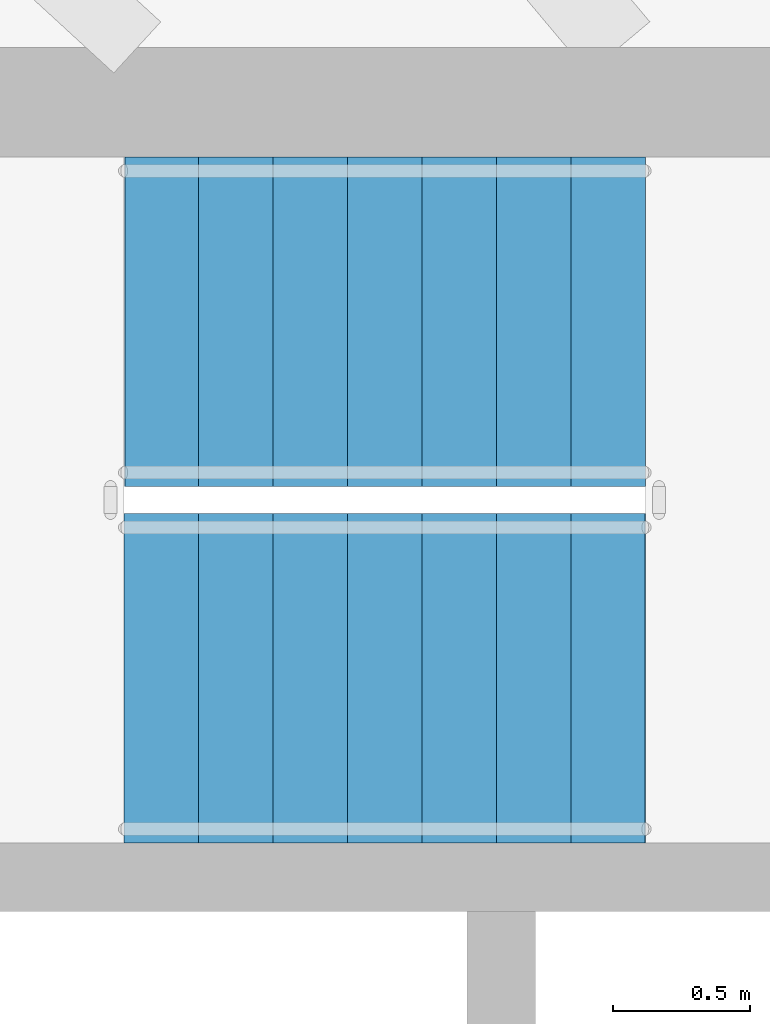
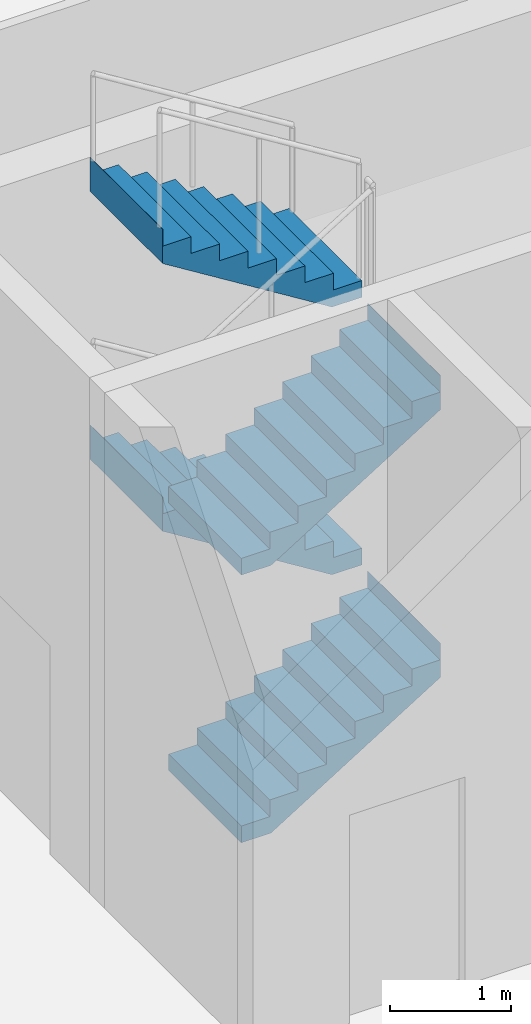
# One storey, part 9 of 16: 4 stair flights, 1 element without a shape of its own.
"""IFC4 building model written with IfcOpenShell, lengths in metres."""

from ifc_helpers import new_model, si_unit, direction, frame, origin, place, context, subcontext, project, spatial, triangles, material, type_object, element, aggregate, save


model = new_model("IFC4")

# Units and contexts
model_context = context("Model", 3, precision=1e-05, world=origin(), true_north=direction((0.0, 1.0)))
body_context = subcontext(model_context, "Body", "Model", "MODEL_VIEW")
ifc_project = project(units=[si_unit("LENGTHUNIT", "METRE"), si_unit("AREAUNIT", "SQUARE_METRE"), si_unit("VOLUMEUNIT", "CUBIC_METRE"), si_unit("PLANEANGLEUNIT", "RADIAN"), si_unit("MASSUNIT", "GRAM", prefix="KILO")], contexts=[model_context])

# Site, building, storey
site_placement = place(None, origin())
site = spatial("IfcSite", under=ifc_project, at=site_placement, CompositionType="ELEMENT")
building_placement = place(site_placement, origin())
building = spatial("IfcBuilding", under=site, at=building_placement, Name="Sahrelin Media Tower", CompositionType="ELEMENT")
storey_placement = place(building_placement, frame((0.0, 0.0, 324.39990234375)))
storey = spatial("IfcBuildingStorey", under=building, at=storey_placement, Name="L72", CompositionType="ELEMENT", Elevation=324.39990234375)

# Stair, stair flights
ifc_material = material(Name="Concrete C40/50", Category="concrete")
stair_type = type_object("IfcStairType", Name="Exit stair 1200", PredefinedType="HALF_TURN_STAIR", material=ifc_material)
stair_placement = place(storey_placement, origin())
stair = element("IfcStair", 1, at=stair_placement, inside=storey, type_object=stair_type, Name="L72 Exit stair ST1", PredefinedType="HALF_TURN_STAIR")
stair_flight_type = type_object("IfcStairFlightType", Name="Stair flight 1200", PredefinedType="STRAIGHT", material=ifc_material)
stair_flight_1_placement = place(storey_placement, frame((-7.675048828125, 4.699951171875, 0.0), z_axis=(0.0, 0.0, 1.0), x_axis=(1.0, 0.0, 0.0)))
stair_flight_1 = element("IfcStairFlight", 2, at=stair_flight_1_placement, type_object=stair_flight_type, Name="ST1 flight 1", NumberOfRisers=8, NumberOfTreads=7, PredefinedType="STRAIGHT", RiserHeight=0.16875, TreadLength=0.271428571, context=body_context, shape_type="Tessellation", body=[
    triangles([(0.283935546875, 0.60009765625, 0.0), (0.283935546875, 0.300048828125, 0.0), (0.283935546875, 0.0, 0.0), (0.283935546875, -0.300048828125, 0.0), (0.283935546875, -0.60009765625, 0.0), (1.89990234375, 0.60009765625, 1.004638671875), (1.89990234375, 0.300048828125, 1.004638671875), (1.89990234375, 0.0, 1.004638671875), (1.89990234375, -0.300048828125, 1.004638671875), (1.89990234375, -0.60009765625, 1.004638671875), (1.89990234375, 0.60009765625, 1.35009765625), (1.89990234375, 0.300048828125, 1.35009765625), (1.89990234375, 0.0, 1.35009765625), (1.89990234375, -0.300048828125, 1.35009765625), (1.89990234375, -0.60009765625, 1.35009765625), (1.89794921875, 0.60009765625, 1.35009765625), (1.89794921875, 0.300048828125, 1.35009765625), (1.89794921875, 0.0, 1.35009765625), (1.89794921875, -0.300048828125, 1.35009765625), (1.89794921875, -0.60009765625, 1.35009765625), (1.89794921875, 0.60009765625, 1.18115234375), (1.89794921875, 0.300048828125, 1.18115234375), (1.89794921875, 0.0, 1.18115234375), (1.89794921875, -0.300048828125, 1.18115234375), (1.89794921875, -0.60009765625, 1.18115234375), (1.628662109375, 0.60009765625, 1.18115234375), (1.628662109375, 0.300048828125, 1.18115234375), (1.628662109375, 0.0, 1.18115234375), (1.628662109375, -0.300048828125, 1.18115234375), (1.628662109375, -0.60009765625, 1.18115234375), (1.628662109375, 0.60009765625, 1.012451171875), (1.628662109375, 0.300048828125, 1.012451171875), (1.628662109375, 0.0, 1.012451171875), (1.628662109375, -0.300048828125, 1.012451171875), (1.628662109375, -0.60009765625, 1.012451171875), (1.357177734375, 0.60009765625, 1.012451171875), (1.357177734375, 0.300048828125, 1.012451171875), (1.357177734375, 0.0, 1.012451171875), (1.357177734375, -0.300048828125, 1.012451171875), (1.357177734375, -0.60009765625, 1.012451171875), (1.357177734375, 0.60009765625, 0.84375), (1.357177734375, 0.300048828125, 0.84375), (1.357177734375, 0.0, 0.84375), (1.357177734375, -0.300048828125, 0.84375), (1.357177734375, -0.60009765625, 0.84375), (1.085693359375, 0.60009765625, 0.84375), (1.085693359375, 0.300048828125, 0.84375), (1.085693359375, 0.0, 0.84375), (1.085693359375, -0.300048828125, 0.84375), (1.085693359375, -0.60009765625, 0.84375), (1.085693359375, 0.60009765625, 0.675048828125), (1.085693359375, 0.300048828125, 0.675048828125), (1.085693359375, 0.0, 0.675048828125), (1.085693359375, -0.300048828125, 0.675048828125), (1.085693359375, -0.60009765625, 0.675048828125), (0.814208984375, 0.60009765625, 0.675048828125), (0.814208984375, 0.300048828125, 0.675048828125), (0.814208984375, 0.0, 0.675048828125), (0.814208984375, -0.300048828125, 0.675048828125), (0.814208984375, -0.60009765625, 0.675048828125), (0.814208984375, 0.60009765625, 0.50634765625), (0.814208984375, 0.300048828125, 0.50634765625), (0.814208984375, 0.0, 0.50634765625), (0.814208984375, -0.300048828125, 0.50634765625), (0.814208984375, -0.60009765625, 0.50634765625), (0.54296875, 0.60009765625, 0.50634765625), (0.54296875, 0.300048828125, 0.50634765625), (0.54296875, 0.0, 0.50634765625), (0.54296875, -0.300048828125, 0.50634765625), (0.54296875, -0.60009765625, 0.50634765625), (0.54296875, 0.60009765625, 0.33740234375), (0.54296875, 0.300048828125, 0.33740234375), (0.54296875, 0.0, 0.33740234375), (0.54296875, -0.300048828125, 0.33740234375), (0.54296875, -0.60009765625, 0.33740234375), (0.271484375, 0.60009765625, 0.33740234375), (0.271484375, 0.300048828125, 0.33740234375), (0.271484375, 0.0, 0.33740234375), (0.271484375, -0.300048828125, 0.33740234375), (0.271484375, -0.60009765625, 0.33740234375), (0.271484375, 0.60009765625, 0.168701171875), (0.271484375, 0.300048828125, 0.168701171875), (0.271484375, 0.0, 0.168701171875), (0.271484375, -0.300048828125, 0.168701171875), (0.271484375, -0.60009765625, 0.168701171875), (0.0, 0.60009765625, 0.168701171875), (0.0, 0.300048828125, 0.168701171875), (0.0, 0.0, 0.168701171875), (0.0, -0.300048828125, 0.168701171875), (0.0, -0.60009765625, 0.168701171875), (0.0, 0.60009765625, 0.0), (0.0, 0.300048828125, 0.0), (0.0, 0.0, 0.0), (0.0, -0.300048828125, 0.0), (0.0, -0.60009765625, 0.0)], [[1, 6, 7], [1, 7, 2], [2, 7, 8], [2, 8, 3], [3, 8, 9], [3, 9, 4], [4, 9, 10], [4, 10, 5], [6, 11, 12], [6, 12, 7], [7, 12, 13], [7, 13, 8], [8, 13, 14], [8, 14, 9], [9, 14, 15], [9, 15, 10], [11, 16, 17], [11, 17, 12], [12, 17, 18], [12, 18, 13], [13, 18, 19], [13, 19, 14], [14, 19, 20], [14, 20, 15], [16, 21, 22], [16, 22, 17], [17, 22, 23], [17, 23, 18], [18, 23, 24], [18, 24, 19], [19, 24, 25], [19, 25, 20], [21, 26, 27], [21, 27, 22], [22, 27, 28], [22, 28, 23], [23, 28, 29], [23, 29, 24], [24, 29, 30], [24, 30, 25], [26, 31, 32], [26, 32, 27], [27, 32, 33], [27, 33, 28], [28, 33, 34], [28, 34, 29], [29, 34, 35], [29, 35, 30], [31, 36, 37], [31, 37, 32], [32, 37, 38], [32, 38, 33], [33, 38, 39], [33, 39, 34], [34, 39, 40], [34, 40, 35], [36, 41, 42], [36, 42, 37], [37, 42, 43], [37, 43, 38], [38, 43, 44], [38, 44, 39], [39, 44, 45], [39, 45, 40], [41, 46, 47], [41, 47, 42], [42, 47, 48], [42, 48, 43], [43, 48, 49], [43, 49, 44], [44, 49, 50], [44, 50, 45], [46, 51, 52], [46, 52, 47], [47, 52, 53], [47, 53, 48], [48, 53, 54], [48, 54, 49], [49, 54, 55], [49, 55, 50], [51, 56, 57], [51, 57, 52], [52, 57, 58], [52, 58, 53], [53, 58, 59], [53, 59, 54], [54, 59, 60], [54, 60, 55], [56, 61, 62], [56, 62, 57], [57, 62, 63], [57, 63, 58], [58, 63, 64], [58, 64, 59], [59, 64, 65], [59, 65, 60], [61, 66, 67], [61, 67, 62], [62, 67, 68], [62, 68, 63], [63, 68, 69], [63, 69, 64], [64, 69, 70], [64, 70, 65], [66, 71, 72], [66, 72, 67], [67, 72, 73], [67, 73, 68], [68, 73, 74], [68, 74, 69], [69, 74, 75], [69, 75, 70], [71, 76, 77], [71, 77, 72], [72, 77, 78], [72, 78, 73], [73, 78, 79], [73, 79, 74], [74, 79, 80], [74, 80, 75], [76, 81, 82], [76, 82, 77], [77, 82, 83], [77, 83, 78], [78, 83, 84], [78, 84, 79], [79, 84, 85], [79, 85, 80], [81, 86, 87], [81, 87, 82], [82, 87, 88], [82, 88, 83], [83, 88, 89], [83, 89, 84], [84, 89, 90], [84, 90, 85], [86, 91, 92], [86, 92, 87], [87, 92, 93], [87, 93, 88], [88, 93, 94], [88, 94, 89], [89, 94, 95], [89, 95, 90], [91, 1, 2], [91, 2, 92], [92, 2, 3], [92, 3, 93], [93, 3, 4], [93, 4, 94], [94, 4, 5], [94, 5, 95], [85, 90, 95], [81, 91, 86], [85, 75, 80], [81, 76, 71], [75, 65, 70], [71, 66, 61], [65, 55, 60], [61, 56, 51], [55, 45, 50], [51, 46, 41], [45, 35, 40], [41, 36, 31], [35, 25, 30], [31, 26, 21], [25, 15, 20], [21, 16, 11], [95, 5, 85], [91, 81, 1], [5, 55, 65], [1, 61, 51], [25, 10, 15], [21, 11, 6], [75, 85, 5], [71, 1, 81], [10, 45, 55], [6, 51, 41], [35, 10, 25], [31, 21, 6], [65, 75, 5], [61, 1, 71], [45, 10, 35], [41, 31, 6], [5, 10, 55], [1, 51, 6]], closed=True),
])
stair_flight_2_placement = place(storey_placement, frame((-5.77490234375, 6.0, 1.35009765625), z_axis=(0.0, 0.0, 1.0), x_axis=(-1.0, 0.0, 0.0)))
stair_flight_2 = element("IfcStairFlight", 3, at=stair_flight_2_placement, type_object=stair_flight_type, Name="ST1 flight 2", NumberOfRisers=8, NumberOfTreads=7, PredefinedType="STRAIGHT", RiserHeight=0.16875, TreadLength=0.271428571, context=body_context, shape_type="Tessellation", body=[
    triangles([(0.283935546875, 0.60009765625, 0.0), (0.283935546875, 0.300048828125, 0.0), (0.283935546875, 0.0, 0.0), (0.283935546875, -0.300048828125, 0.0), (0.283935546875, -0.60009765625, 0.0), (1.89990234375, 0.60009765625, 1.004638671875), (1.89990234375, 0.300048828125, 1.004638671875), (1.89990234375, 0.0, 1.004638671875), (1.89990234375, -0.300048828125, 1.004638671875), (1.89990234375, -0.60009765625, 1.004638671875), (1.89990234375, 0.60009765625, 1.35009765625), (1.89990234375, 0.300048828125, 1.35009765625), (1.89990234375, 0.0, 1.35009765625), (1.89990234375, -0.300048828125, 1.35009765625), (1.89990234375, -0.60009765625, 1.35009765625), (1.89794921875, 0.60009765625, 1.35009765625), (1.89794921875, 0.300048828125, 1.35009765625), (1.89794921875, 0.0, 1.35009765625), (1.89794921875, -0.300048828125, 1.35009765625), (1.89794921875, -0.60009765625, 1.35009765625), (1.89794921875, 0.60009765625, 1.18115234375), (1.89794921875, 0.300048828125, 1.18115234375), (1.89794921875, 0.0, 1.18115234375), (1.89794921875, -0.300048828125, 1.18115234375), (1.89794921875, -0.60009765625, 1.18115234375), (1.628662109375, 0.60009765625, 1.18115234375), (1.628662109375, 0.300048828125, 1.18115234375), (1.628662109375, 0.0, 1.18115234375), (1.628662109375, -0.300048828125, 1.18115234375), (1.628662109375, -0.60009765625, 1.18115234375), (1.628662109375, 0.60009765625, 1.012451171875), (1.628662109375, 0.300048828125, 1.012451171875), (1.628662109375, 0.0, 1.012451171875), (1.628662109375, -0.300048828125, 1.012451171875), (1.628662109375, -0.60009765625, 1.012451171875), (1.357177734375, 0.60009765625, 1.012451171875), (1.357177734375, 0.300048828125, 1.012451171875), (1.357177734375, 0.0, 1.012451171875), (1.357177734375, -0.300048828125, 1.012451171875), (1.357177734375, -0.60009765625, 1.012451171875), (1.357177734375, 0.60009765625, 0.84375), (1.357177734375, 0.300048828125, 0.84375), (1.357177734375, 0.0, 0.84375), (1.357177734375, -0.300048828125, 0.84375), (1.357177734375, -0.60009765625, 0.84375), (1.085693359375, 0.60009765625, 0.84375), (1.085693359375, 0.300048828125, 0.84375), (1.085693359375, 0.0, 0.84375), (1.085693359375, -0.300048828125, 0.84375), (1.085693359375, -0.60009765625, 0.84375), (1.085693359375, 0.60009765625, 0.675048828125), (1.085693359375, 0.300048828125, 0.675048828125), (1.085693359375, 0.0, 0.675048828125), (1.085693359375, -0.300048828125, 0.675048828125), (1.085693359375, -0.60009765625, 0.675048828125), (0.814208984375, 0.60009765625, 0.675048828125), (0.814208984375, 0.300048828125, 0.675048828125), (0.814208984375, 0.0, 0.675048828125), (0.814208984375, -0.300048828125, 0.675048828125), (0.814208984375, -0.60009765625, 0.675048828125), (0.814208984375, 0.60009765625, 0.50634765625), (0.814208984375, 0.300048828125, 0.50634765625), (0.814208984375, 0.0, 0.50634765625), (0.814208984375, -0.300048828125, 0.50634765625), (0.814208984375, -0.60009765625, 0.50634765625), (0.54296875, 0.60009765625, 0.50634765625), (0.54296875, 0.300048828125, 0.50634765625), (0.54296875, 0.0, 0.50634765625), (0.54296875, -0.300048828125, 0.50634765625), (0.54296875, -0.60009765625, 0.50634765625), (0.54296875, 0.60009765625, 0.33740234375), (0.54296875, 0.300048828125, 0.33740234375), (0.54296875, 0.0, 0.33740234375), (0.54296875, -0.300048828125, 0.33740234375), (0.54296875, -0.60009765625, 0.33740234375), (0.271484375, 0.60009765625, 0.33740234375), (0.271484375, 0.300048828125, 0.33740234375), (0.271484375, 0.0, 0.33740234375), (0.271484375, -0.300048828125, 0.33740234375), (0.271484375, -0.60009765625, 0.33740234375), (0.271484375, 0.60009765625, 0.168701171875), (0.271484375, 0.300048828125, 0.168701171875), (0.271484375, 0.0, 0.168701171875), (0.271484375, -0.300048828125, 0.168701171875), (0.271484375, -0.60009765625, 0.168701171875), (0.0, 0.60009765625, 0.168701171875), (0.0, 0.300048828125, 0.168701171875), (0.0, 0.0, 0.168701171875), (0.0, -0.300048828125, 0.168701171875), (0.0, -0.60009765625, 0.168701171875), (0.0, 0.60009765625, 0.0), (0.0, 0.300048828125, 0.0), (0.0, 0.0, 0.0), (0.0, -0.300048828125, 0.0), (0.0, -0.60009765625, 0.0)], [[1, 6, 7], [1, 7, 2], [2, 7, 8], [2, 8, 3], [3, 8, 9], [3, 9, 4], [4, 9, 10], [4, 10, 5], [6, 11, 12], [6, 12, 7], [7, 12, 13], [7, 13, 8], [8, 13, 14], [8, 14, 9], [9, 14, 15], [9, 15, 10], [11, 16, 17], [11, 17, 12], [12, 17, 18], [12, 18, 13], [13, 18, 19], [13, 19, 14], [14, 19, 20], [14, 20, 15], [16, 21, 22], [16, 22, 17], [17, 22, 23], [17, 23, 18], [18, 23, 24], [18, 24, 19], [19, 24, 25], [19, 25, 20], [21, 26, 27], [21, 27, 22], [22, 27, 28], [22, 28, 23], [23, 28, 29], [23, 29, 24], [24, 29, 30], [24, 30, 25], [26, 31, 32], [26, 32, 27], [27, 32, 33], [27, 33, 28], [28, 33, 34], [28, 34, 29], [29, 34, 35], [29, 35, 30], [31, 36, 37], [31, 37, 32], [32, 37, 38], [32, 38, 33], [33, 38, 39], [33, 39, 34], [34, 39, 40], [34, 40, 35], [36, 41, 42], [36, 42, 37], [37, 42, 43], [37, 43, 38], [38, 43, 44], [38, 44, 39], [39, 44, 45], [39, 45, 40], [41, 46, 47], [41, 47, 42], [42, 47, 48], [42, 48, 43], [43, 48, 49], [43, 49, 44], [44, 49, 50], [44, 50, 45], [46, 51, 52], [46, 52, 47], [47, 52, 53], [47, 53, 48], [48, 53, 54], [48, 54, 49], [49, 54, 55], [49, 55, 50], [51, 56, 57], [51, 57, 52], [52, 57, 58], [52, 58, 53], [53, 58, 59], [53, 59, 54], [54, 59, 60], [54, 60, 55], [56, 61, 62], [56, 62, 57], [57, 62, 63], [57, 63, 58], [58, 63, 64], [58, 64, 59], [59, 64, 65], [59, 65, 60], [61, 66, 67], [61, 67, 62], [62, 67, 68], [62, 68, 63], [63, 68, 69], [63, 69, 64], [64, 69, 70], [64, 70, 65], [66, 71, 72], [66, 72, 67], [67, 72, 73], [67, 73, 68], [68, 73, 74], [68, 74, 69], [69, 74, 75], [69, 75, 70], [71, 76, 77], [71, 77, 72], [72, 77, 78], [72, 78, 73], [73, 78, 79], [73, 79, 74], [74, 79, 80], [74, 80, 75], [76, 81, 82], [76, 82, 77], [77, 82, 83], [77, 83, 78], [78, 83, 84], [78, 84, 79], [79, 84, 85], [79, 85, 80], [81, 86, 87], [81, 87, 82], [82, 87, 88], [82, 88, 83], [83, 88, 89], [83, 89, 84], [84, 89, 90], [84, 90, 85], [86, 91, 92], [86, 92, 87], [87, 92, 93], [87, 93, 88], [88, 93, 94], [88, 94, 89], [89, 94, 95], [89, 95, 90], [91, 1, 2], [91, 2, 92], [92, 2, 3], [92, 3, 93], [93, 3, 4], [93, 4, 94], [94, 4, 5], [94, 5, 95], [85, 90, 95], [81, 91, 86], [85, 75, 80], [81, 76, 71], [75, 65, 70], [71, 66, 61], [65, 55, 60], [61, 56, 51], [55, 45, 50], [51, 46, 41], [45, 35, 40], [41, 36, 31], [35, 25, 30], [31, 26, 21], [25, 15, 20], [21, 16, 11], [95, 5, 85], [91, 81, 1], [5, 55, 65], [1, 61, 51], [25, 10, 15], [21, 11, 6], [75, 85, 5], [71, 1, 81], [10, 45, 55], [6, 51, 41], [35, 10, 25], [31, 21, 6], [65, 75, 5], [61, 1, 71], [45, 10, 35], [41, 31, 6], [5, 10, 55], [1, 51, 6]], closed=True),
])
stair_flight_3_placement = place(storey_placement, frame((-7.675048828125, 4.699951171875, 2.7001953125), z_axis=(0.0, 0.0, 1.0), x_axis=(1.0, 0.0, 0.0)))
stair_flight_3 = element("IfcStairFlight", 4, at=stair_flight_3_placement, type_object=stair_flight_type, Name="ST1 flight 3", NumberOfRisers=8, NumberOfTreads=7, PredefinedType="STRAIGHT", RiserHeight=0.16875, TreadLength=0.271428571, context=body_context, shape_type="Tessellation", body=[
    triangles([(0.283935546875, 0.60009765625, 0.0), (0.283935546875, 0.300048828125, 0.0), (0.283935546875, 0.0, 0.0), (0.283935546875, -0.300048828125, 0.0), (0.283935546875, -0.60009765625, 0.0), (1.89990234375, 0.60009765625, 1.004638671875), (1.89990234375, 0.300048828125, 1.004638671875), (1.89990234375, 0.0, 1.004638671875), (1.89990234375, -0.300048828125, 1.004638671875), (1.89990234375, -0.60009765625, 1.004638671875), (1.89990234375, 0.60009765625, 1.35009765625), (1.89990234375, 0.300048828125, 1.35009765625), (1.89990234375, 0.0, 1.35009765625), (1.89990234375, -0.300048828125, 1.35009765625), (1.89990234375, -0.60009765625, 1.35009765625), (1.89794921875, 0.60009765625, 1.35009765625), (1.89794921875, 0.300048828125, 1.35009765625), (1.89794921875, 0.0, 1.35009765625), (1.89794921875, -0.300048828125, 1.35009765625), (1.89794921875, -0.60009765625, 1.35009765625), (1.89794921875, 0.60009765625, 1.18115234375), (1.89794921875, 0.300048828125, 1.18115234375), (1.89794921875, 0.0, 1.18115234375), (1.89794921875, -0.300048828125, 1.18115234375), (1.89794921875, -0.60009765625, 1.18115234375), (1.628662109375, 0.60009765625, 1.18115234375), (1.628662109375, 0.300048828125, 1.18115234375), (1.628662109375, 0.0, 1.18115234375), (1.628662109375, -0.300048828125, 1.18115234375), (1.628662109375, -0.60009765625, 1.18115234375), (1.628662109375, 0.60009765625, 1.012451171875), (1.628662109375, 0.300048828125, 1.012451171875), (1.628662109375, 0.0, 1.012451171875), (1.628662109375, -0.300048828125, 1.012451171875), (1.628662109375, -0.60009765625, 1.012451171875), (1.357177734375, 0.60009765625, 1.012451171875), (1.357177734375, 0.300048828125, 1.012451171875), (1.357177734375, 0.0, 1.012451171875), (1.357177734375, -0.300048828125, 1.012451171875), (1.357177734375, -0.60009765625, 1.012451171875), (1.357177734375, 0.60009765625, 0.84375), (1.357177734375, 0.300048828125, 0.84375), (1.357177734375, 0.0, 0.84375), (1.357177734375, -0.300048828125, 0.84375), (1.357177734375, -0.60009765625, 0.84375), (1.085693359375, 0.60009765625, 0.84375), (1.085693359375, 0.300048828125, 0.84375), (1.085693359375, 0.0, 0.84375), (1.085693359375, -0.300048828125, 0.84375), (1.085693359375, -0.60009765625, 0.84375), (1.085693359375, 0.60009765625, 0.675048828125), (1.085693359375, 0.300048828125, 0.675048828125), (1.085693359375, 0.0, 0.675048828125), (1.085693359375, -0.300048828125, 0.675048828125), (1.085693359375, -0.60009765625, 0.675048828125), (0.814208984375, 0.60009765625, 0.675048828125), (0.814208984375, 0.300048828125, 0.675048828125), (0.814208984375, 0.0, 0.675048828125), (0.814208984375, -0.300048828125, 0.675048828125), (0.814208984375, -0.60009765625, 0.675048828125), (0.814208984375, 0.60009765625, 0.50634765625), (0.814208984375, 0.300048828125, 0.50634765625), (0.814208984375, 0.0, 0.50634765625), (0.814208984375, -0.300048828125, 0.50634765625), (0.814208984375, -0.60009765625, 0.50634765625), (0.54296875, 0.60009765625, 0.50634765625), (0.54296875, 0.300048828125, 0.50634765625), (0.54296875, 0.0, 0.50634765625), (0.54296875, -0.300048828125, 0.50634765625), (0.54296875, -0.60009765625, 0.50634765625), (0.54296875, 0.60009765625, 0.33740234375), (0.54296875, 0.300048828125, 0.33740234375), (0.54296875, 0.0, 0.33740234375), (0.54296875, -0.300048828125, 0.33740234375), (0.54296875, -0.60009765625, 0.33740234375), (0.271484375, 0.60009765625, 0.33740234375), (0.271484375, 0.300048828125, 0.33740234375), (0.271484375, 0.0, 0.33740234375), (0.271484375, -0.300048828125, 0.33740234375), (0.271484375, -0.60009765625, 0.33740234375), (0.271484375, 0.60009765625, 0.168701171875), (0.271484375, 0.300048828125, 0.168701171875), (0.271484375, 0.0, 0.168701171875), (0.271484375, -0.300048828125, 0.168701171875), (0.271484375, -0.60009765625, 0.168701171875), (0.0, 0.60009765625, 0.168701171875), (0.0, 0.300048828125, 0.168701171875), (0.0, 0.0, 0.168701171875), (0.0, -0.300048828125, 0.168701171875), (0.0, -0.60009765625, 0.168701171875), (0.0, 0.60009765625, 0.0), (0.0, 0.300048828125, 0.0), (0.0, 0.0, 0.0), (0.0, -0.300048828125, 0.0), (0.0, -0.60009765625, 0.0)], [[1, 6, 7], [1, 7, 2], [2, 7, 8], [2, 8, 3], [3, 8, 9], [3, 9, 4], [4, 9, 10], [4, 10, 5], [6, 11, 12], [6, 12, 7], [7, 12, 13], [7, 13, 8], [8, 13, 14], [8, 14, 9], [9, 14, 15], [9, 15, 10], [11, 16, 17], [11, 17, 12], [12, 17, 18], [12, 18, 13], [13, 18, 19], [13, 19, 14], [14, 19, 20], [14, 20, 15], [16, 21, 22], [16, 22, 17], [17, 22, 23], [17, 23, 18], [18, 23, 24], [18, 24, 19], [19, 24, 25], [19, 25, 20], [21, 26, 27], [21, 27, 22], [22, 27, 28], [22, 28, 23], [23, 28, 29], [23, 29, 24], [24, 29, 30], [24, 30, 25], [26, 31, 32], [26, 32, 27], [27, 32, 33], [27, 33, 28], [28, 33, 34], [28, 34, 29], [29, 34, 35], [29, 35, 30], [31, 36, 37], [31, 37, 32], [32, 37, 38], [32, 38, 33], [33, 38, 39], [33, 39, 34], [34, 39, 40], [34, 40, 35], [36, 41, 42], [36, 42, 37], [37, 42, 43], [37, 43, 38], [38, 43, 44], [38, 44, 39], [39, 44, 45], [39, 45, 40], [41, 46, 47], [41, 47, 42], [42, 47, 48], [42, 48, 43], [43, 48, 49], [43, 49, 44], [44, 49, 50], [44, 50, 45], [46, 51, 52], [46, 52, 47], [47, 52, 53], [47, 53, 48], [48, 53, 54], [48, 54, 49], [49, 54, 55], [49, 55, 50], [51, 56, 57], [51, 57, 52], [52, 57, 58], [52, 58, 53], [53, 58, 59], [53, 59, 54], [54, 59, 60], [54, 60, 55], [56, 61, 62], [56, 62, 57], [57, 62, 63], [57, 63, 58], [58, 63, 64], [58, 64, 59], [59, 64, 65], [59, 65, 60], [61, 66, 67], [61, 67, 62], [62, 67, 68], [62, 68, 63], [63, 68, 69], [63, 69, 64], [64, 69, 70], [64, 70, 65], [66, 71, 72], [66, 72, 67], [67, 72, 73], [67, 73, 68], [68, 73, 74], [68, 74, 69], [69, 74, 75], [69, 75, 70], [71, 76, 77], [71, 77, 72], [72, 77, 78], [72, 78, 73], [73, 78, 79], [73, 79, 74], [74, 79, 80], [74, 80, 75], [76, 81, 82], [76, 82, 77], [77, 82, 83], [77, 83, 78], [78, 83, 84], [78, 84, 79], [79, 84, 85], [79, 85, 80], [81, 86, 87], [81, 87, 82], [82, 87, 88], [82, 88, 83], [83, 88, 89], [83, 89, 84], [84, 89, 90], [84, 90, 85], [86, 91, 92], [86, 92, 87], [87, 92, 93], [87, 93, 88], [88, 93, 94], [88, 94, 89], [89, 94, 95], [89, 95, 90], [91, 1, 2], [91, 2, 92], [92, 2, 3], [92, 3, 93], [93, 3, 4], [93, 4, 94], [94, 4, 5], [94, 5, 95], [85, 90, 95], [81, 91, 86], [85, 75, 80], [81, 76, 71], [75, 65, 70], [71, 66, 61], [65, 55, 60], [61, 56, 51], [55, 45, 50], [51, 46, 41], [45, 35, 40], [41, 36, 31], [35, 25, 30], [31, 26, 21], [25, 15, 20], [21, 16, 11], [95, 5, 85], [91, 81, 1], [5, 55, 65], [1, 61, 51], [25, 10, 15], [21, 11, 6], [75, 85, 5], [71, 1, 81], [10, 45, 55], [6, 51, 41], [35, 10, 25], [31, 21, 6], [65, 75, 5], [61, 1, 71], [45, 10, 35], [41, 31, 6], [5, 10, 55], [1, 51, 6]], closed=True),
])
stair_flight_4_placement = place(storey_placement, frame((-5.77490234375, 6.0, 4.050048828125), z_axis=(0.0, 0.0, 1.0), x_axis=(-1.0, 0.0, 0.0)))
stair_flight_4 = element("IfcStairFlight", 5, at=stair_flight_4_placement, type_object=stair_flight_type, Name="ST1 flight 4", NumberOfRisers=8, NumberOfTreads=7, PredefinedType="STRAIGHT", RiserHeight=0.16875, TreadLength=0.271428571, context=body_context, shape_type="Tessellation", body=[
    triangles([(0.283935546875, 0.60009765625, 0.0), (0.283935546875, 0.300048828125, 0.0), (0.283935546875, 0.0, 0.0), (0.283935546875, -0.300048828125, 0.0), (0.283935546875, -0.60009765625, 0.0), (1.89990234375, 0.60009765625, 1.004638671875), (1.89990234375, 0.300048828125, 1.004638671875), (1.89990234375, 0.0, 1.004638671875), (1.89990234375, -0.300048828125, 1.004638671875), (1.89990234375, -0.60009765625, 1.004638671875), (1.89990234375, 0.60009765625, 1.35009765625), (1.89990234375, 0.300048828125, 1.35009765625), (1.89990234375, 0.0, 1.35009765625), (1.89990234375, -0.300048828125, 1.35009765625), (1.89990234375, -0.60009765625, 1.35009765625), (1.89794921875, 0.60009765625, 1.35009765625), (1.89794921875, 0.300048828125, 1.35009765625), (1.89794921875, 0.0, 1.35009765625), (1.89794921875, -0.300048828125, 1.35009765625), (1.89794921875, -0.60009765625, 1.35009765625), (1.89794921875, 0.60009765625, 1.18115234375), (1.89794921875, 0.300048828125, 1.18115234375), (1.89794921875, 0.0, 1.18115234375), (1.89794921875, -0.300048828125, 1.18115234375), (1.89794921875, -0.60009765625, 1.18115234375), (1.628662109375, 0.60009765625, 1.18115234375), (1.628662109375, 0.300048828125, 1.18115234375), (1.628662109375, 0.0, 1.18115234375), (1.628662109375, -0.300048828125, 1.18115234375), (1.628662109375, -0.60009765625, 1.18115234375), (1.628662109375, 0.60009765625, 1.012451171875), (1.628662109375, 0.300048828125, 1.012451171875), (1.628662109375, 0.0, 1.012451171875), (1.628662109375, -0.300048828125, 1.012451171875), (1.628662109375, -0.60009765625, 1.012451171875), (1.357177734375, 0.60009765625, 1.012451171875), (1.357177734375, 0.300048828125, 1.012451171875), (1.357177734375, 0.0, 1.012451171875), (1.357177734375, -0.300048828125, 1.012451171875), (1.357177734375, -0.60009765625, 1.012451171875), (1.357177734375, 0.60009765625, 0.84375), (1.357177734375, 0.300048828125, 0.84375), (1.357177734375, 0.0, 0.84375), (1.357177734375, -0.300048828125, 0.84375), (1.357177734375, -0.60009765625, 0.84375), (1.085693359375, 0.60009765625, 0.84375), (1.085693359375, 0.300048828125, 0.84375), (1.085693359375, 0.0, 0.84375), (1.085693359375, -0.300048828125, 0.84375), (1.085693359375, -0.60009765625, 0.84375), (1.085693359375, 0.60009765625, 0.675048828125), (1.085693359375, 0.300048828125, 0.675048828125), (1.085693359375, 0.0, 0.675048828125), (1.085693359375, -0.300048828125, 0.675048828125), (1.085693359375, -0.60009765625, 0.675048828125), (0.814208984375, 0.60009765625, 0.675048828125), (0.814208984375, 0.300048828125, 0.675048828125), (0.814208984375, 0.0, 0.675048828125), (0.814208984375, -0.300048828125, 0.675048828125), (0.814208984375, -0.60009765625, 0.675048828125), (0.814208984375, 0.60009765625, 0.50634765625), (0.814208984375, 0.300048828125, 0.50634765625), (0.814208984375, 0.0, 0.50634765625), (0.814208984375, -0.300048828125, 0.50634765625), (0.814208984375, -0.60009765625, 0.50634765625), (0.54296875, 0.60009765625, 0.50634765625), (0.54296875, 0.300048828125, 0.50634765625), (0.54296875, 0.0, 0.50634765625), (0.54296875, -0.300048828125, 0.50634765625), (0.54296875, -0.60009765625, 0.50634765625), (0.54296875, 0.60009765625, 0.33740234375), (0.54296875, 0.300048828125, 0.33740234375), (0.54296875, 0.0, 0.33740234375), (0.54296875, -0.300048828125, 0.33740234375), (0.54296875, -0.60009765625, 0.33740234375), (0.271484375, 0.60009765625, 0.33740234375), (0.271484375, 0.300048828125, 0.33740234375), (0.271484375, 0.0, 0.33740234375), (0.271484375, -0.300048828125, 0.33740234375), (0.271484375, -0.60009765625, 0.33740234375), (0.271484375, 0.60009765625, 0.168701171875), (0.271484375, 0.300048828125, 0.168701171875), (0.271484375, 0.0, 0.168701171875), (0.271484375, -0.300048828125, 0.168701171875), (0.271484375, -0.60009765625, 0.168701171875), (0.0, 0.60009765625, 0.168701171875), (0.0, 0.300048828125, 0.168701171875), (0.0, 0.0, 0.168701171875), (0.0, -0.300048828125, 0.168701171875), (0.0, -0.60009765625, 0.168701171875), (0.0, 0.60009765625, 0.0), (0.0, 0.300048828125, 0.0), (0.0, 0.0, 0.0), (0.0, -0.300048828125, 0.0), (0.0, -0.60009765625, 0.0)], [[1, 6, 7], [1, 7, 2], [2, 7, 8], [2, 8, 3], [3, 8, 9], [3, 9, 4], [4, 9, 10], [4, 10, 5], [6, 11, 12], [6, 12, 7], [7, 12, 13], [7, 13, 8], [8, 13, 14], [8, 14, 9], [9, 14, 15], [9, 15, 10], [11, 16, 17], [11, 17, 12], [12, 17, 18], [12, 18, 13], [13, 18, 19], [13, 19, 14], [14, 19, 20], [14, 20, 15], [16, 21, 22], [16, 22, 17], [17, 22, 23], [17, 23, 18], [18, 23, 24], [18, 24, 19], [19, 24, 25], [19, 25, 20], [21, 26, 27], [21, 27, 22], [22, 27, 28], [22, 28, 23], [23, 28, 29], [23, 29, 24], [24, 29, 30], [24, 30, 25], [26, 31, 32], [26, 32, 27], [27, 32, 33], [27, 33, 28], [28, 33, 34], [28, 34, 29], [29, 34, 35], [29, 35, 30], [31, 36, 37], [31, 37, 32], [32, 37, 38], [32, 38, 33], [33, 38, 39], [33, 39, 34], [34, 39, 40], [34, 40, 35], [36, 41, 42], [36, 42, 37], [37, 42, 43], [37, 43, 38], [38, 43, 44], [38, 44, 39], [39, 44, 45], [39, 45, 40], [41, 46, 47], [41, 47, 42], [42, 47, 48], [42, 48, 43], [43, 48, 49], [43, 49, 44], [44, 49, 50], [44, 50, 45], [46, 51, 52], [46, 52, 47], [47, 52, 53], [47, 53, 48], [48, 53, 54], [48, 54, 49], [49, 54, 55], [49, 55, 50], [51, 56, 57], [51, 57, 52], [52, 57, 58], [52, 58, 53], [53, 58, 59], [53, 59, 54], [54, 59, 60], [54, 60, 55], [56, 61, 62], [56, 62, 57], [57, 62, 63], [57, 63, 58], [58, 63, 64], [58, 64, 59], [59, 64, 65], [59, 65, 60], [61, 66, 67], [61, 67, 62], [62, 67, 68], [62, 68, 63], [63, 68, 69], [63, 69, 64], [64, 69, 70], [64, 70, 65], [66, 71, 72], [66, 72, 67], [67, 72, 73], [67, 73, 68], [68, 73, 74], [68, 74, 69], [69, 74, 75], [69, 75, 70], [71, 76, 77], [71, 77, 72], [72, 77, 78], [72, 78, 73], [73, 78, 79], [73, 79, 74], [74, 79, 80], [74, 80, 75], [76, 81, 82], [76, 82, 77], [77, 82, 83], [77, 83, 78], [78, 83, 84], [78, 84, 79], [79, 84, 85], [79, 85, 80], [81, 86, 87], [81, 87, 82], [82, 87, 88], [82, 88, 83], [83, 88, 89], [83, 89, 84], [84, 89, 90], [84, 90, 85], [86, 91, 92], [86, 92, 87], [87, 92, 93], [87, 93, 88], [88, 93, 94], [88, 94, 89], [89, 94, 95], [89, 95, 90], [91, 1, 2], [91, 2, 92], [92, 2, 3], [92, 3, 93], [93, 3, 4], [93, 4, 94], [94, 4, 5], [94, 5, 95], [85, 90, 95], [81, 91, 86], [85, 75, 80], [81, 76, 71], [75, 65, 70], [71, 66, 61], [65, 55, 60], [61, 56, 51], [55, 45, 50], [51, 46, 41], [45, 35, 40], [41, 36, 31], [35, 25, 30], [31, 26, 21], [25, 15, 20], [21, 16, 11], [95, 5, 85], [91, 81, 1], [5, 55, 65], [1, 61, 51], [25, 10, 15], [21, 11, 6], [75, 85, 5], [71, 1, 81], [10, 45, 55], [6, 51, 41], [35, 10, 25], [31, 21, 6], [65, 75, 5], [61, 1, 71], [45, 10, 35], [41, 31, 6], [5, 10, 55], [1, 51, 6]], closed=True),
])
aggregate(stair, [stair_flight_1, stair_flight_2, stair_flight_3, stair_flight_4])

save(model, "model.ifc")
